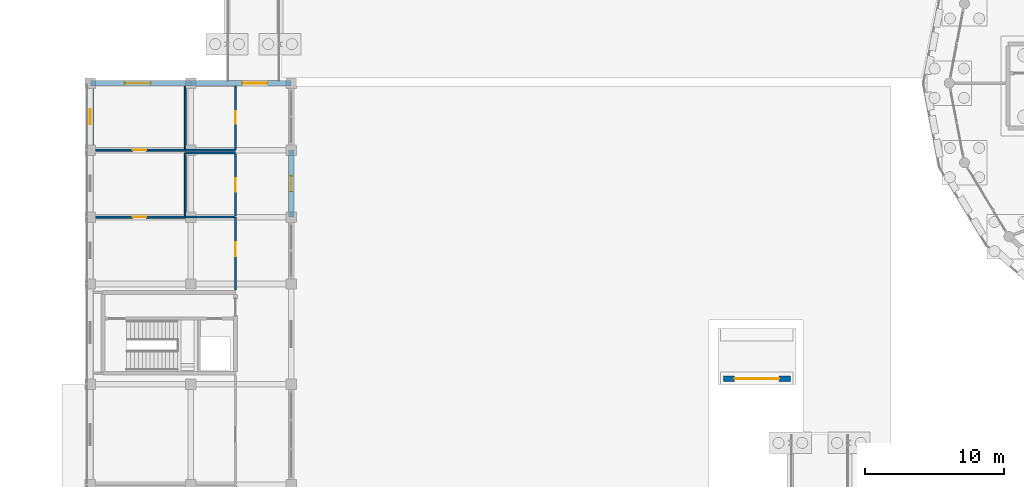
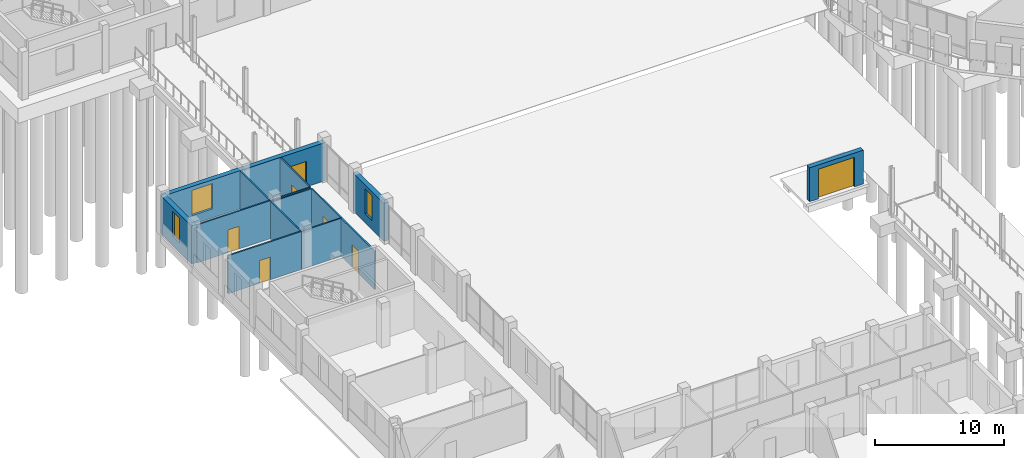
# One storey, part 74 of 98: 15 walls, 7 doors, 3 windows, 10 openings.
"""IFC4 building model written with IfcOpenShell, lengths in metres."""

from ifc_helpers import new_model, si_unit, direction, frame, frame_2d, origin, place, context, subcontext, project, spatial, rectangle, extrude, material, layer, layer_set, type_object, element, fill, save


model = new_model("IFC4")

# Units and contexts
model_context = context("Model", 3, precision=1e-05, world=origin(), true_north=direction((0.0, 1.0)))
body_context = subcontext(model_context, "Body", "Model", "MODEL_VIEW")
ifc_project = project(units=[si_unit("LENGTHUNIT", "METRE"), si_unit("AREAUNIT", "SQUARE_METRE"), si_unit("VOLUMEUNIT", "CUBIC_METRE"), si_unit("PLANEANGLEUNIT", "RADIAN"), si_unit("MASSUNIT", "GRAM", prefix="KILO")], contexts=[model_context])

# Site, building, storey
site_placement = place(None, origin())
site = spatial("IfcSite", under=ifc_project, at=site_placement, CompositionType="ELEMENT")
building_placement = place(site_placement, origin())
building = spatial("IfcBuilding", under=site, at=building_placement, Name="Zornivar Specialist Clinic", CompositionType="ELEMENT")
storey_placement = place(building_placement, origin())
storey = spatial("IfcBuildingStorey", under=building, at=storey_placement, Name="L00", CompositionType="ELEMENT", Elevation=0.0)

# Wall, opening, window
ifc_material_1 = material(Name="Masonry Vratsa Limestone Ashlar Cavity Wall", Category="masonry")
ifc_layer_1 = layer(ifc_material_1, 0.419921875)
ifc_layer_set_1 = layer_set([ifc_layer_1], Name="Masonry Vratsa Limestone Ashlar Cavity Wall")
wall_type_1 = type_object("IfcWallType", Name="EW-LIMESTONE-420", PredefinedType="SOLIDWALL", material=ifc_layer_set_1)
wall_1_placement = place(storey_placement, frame((14.39990234375, 48.0, 0.0), z_axis=(0.0, 0.0, 1.0), x_axis=(0.0, 1.0, 0.0)))
wall_1 = element("IfcWall", 1, at=wall_1_placement, inside=storey, type_object=wall_type_1, Name="ew:V2:L00:19", PredefinedType="SOLIDWALL", context=body_context, shape_type="SweptSolid", body=[
    extrude(rectangle(XDim=4.800048828125, YDim=0.419921875, at=frame_2d((2.39990234375, 0.0))), origin(), (0.0, 0.0, 1.0), 3.60009765625),
])
opening_1_placement = place(wall_1_placement, frame((1.85009765625, 0.0, 0.85009765625)))
opening_1 = element("IfcOpeningElement", 2, at=opening_1_placement, cuts=wall_1, Name="Opening W-04", PredefinedType="OPENING", context=body_context, shape_type="SweptSolid", body=[
    extrude(rectangle(XDim=1.10009765625, YDim=2.35009765625, at=frame_2d((0.550048828125, 1.175048828125))), frame((0.0, 0.219970703125, 0.0), z_axis=(0.0, -1.0, 0.0), x_axis=(1.0, 0.0, 0.0)), (0.0, 0.0, 1.0), 0.43994140625),
])
ifc_material_2 = material(Name="Triple-Glazed Aluminium-Timber Window Glass", Category="wood")
window_type_1 = type_object("IfcWindowType", Name="WIN-PLINTH-PIER-1100x2350", PartitioningType="SINGLE_PANEL", PredefinedType="WINDOW", material=ifc_material_2)
window_1_placement = place(opening_1_placement, origin())
window_1 = element("IfcWindow", 3, at=window_1_placement, inside=storey, type_object=window_type_1, Name="win:V2:L00:19", OverallHeight=2.35009765625, OverallWidth=1.10009765625, PartitioningType="SINGLE_PANEL", PredefinedType="WINDOW", context=body_context, shape_type="SweptSolid", body=[
    extrude(rectangle(XDim=1.10009765625, YDim=2.35009765625, at=frame_2d((0.550048828125, 1.175048828125))), frame((0.0, 0.030029296875, 0.0), z_axis=(0.0, -1.0, 0.0), x_axis=(1.0, 0.0, 0.0)), (0.0, 0.0, 1.0), 0.06005859375),
])
fill(opening_1, window_1)

# Wall, opening, door
wall_2_placement = place(storey_placement, frame((14.39990234375, 57.60009765625, 0.0), z_axis=(0.0, 0.0, 1.0), x_axis=(-1.0, 0.0, 0.0)))
wall_2 = element("IfcWall", 4, at=wall_2_placement, inside=storey, type_object=wall_type_1, Name="ew:V2:L00:21", PredefinedType="SOLIDWALL", context=body_context, shape_type="SweptSolid", body=[
    extrude(rectangle(XDim=7.199951171875, YDim=0.419921875, at=frame_2d((3.60009765625, 0.0))), origin(), (0.0, 0.0, 1.0), 3.60009765625),
])
opening_2_placement = place(wall_2_placement, frame((1.699951171875, 0.0, 0.0)))
opening_2 = element("IfcOpeningElement", 5, at=opening_2_placement, cuts=wall_2, Name="Opening ED-03", PredefinedType="OPENING", context=body_context, shape_type="SweptSolid", body=[
    extrude(rectangle(XDim=1.800048828125, YDim=2.39990234375, at=frame_2d((0.89990234375, 1.199951171875))), frame((0.0, 0.219970703125, 0.0), z_axis=(0.0, -1.0, 0.0), x_axis=(1.0, 0.0, 0.0)), (0.0, 0.0, 1.0), 0.43994140625),
])
ifc_material_3 = material(Name="Thermally Broken Glazed Aluminium Door", Category="aluminium")
door_type_1 = type_object("IfcDoorType", Name="ED-ENTRY-1800x2400", OperationType="NOTDEFINED", PredefinedType="DOOR", material=ifc_material_3)
door_1_placement = place(opening_2_placement, origin())
door_1 = element("IfcDoor", 6, at=door_1_placement, inside=storey, type_object=door_type_1, Name="door:V2:L00:br2", OperationType="DOUBLE_DOOR_SINGLE_SWING", OverallHeight=2.39990234375, OverallWidth=1.800048828125, PredefinedType="DOOR", context=body_context, shape_type="SweptSolid", body=[
    extrude(rectangle(XDim=1.800048828125, YDim=2.39990234375, at=frame_2d((0.89990234375, 1.199951171875))), frame((0.0, 0.02490234375, 0.0), z_axis=(0.0, -1.0, 0.0), x_axis=(1.0, 0.0, 0.0)), (0.0, 0.0, 1.0), 0.050048828125),
])
fill(opening_2, door_1)

# Wall, opening, window
wall_3_placement = place(storey_placement, frame((7.199951171875, 57.60009765625, 0.0), z_axis=(0.0, 0.0, 1.0), x_axis=(-1.0, 0.0, 0.0)))
wall_3 = element("IfcWall", 7, at=wall_3_placement, inside=storey, type_object=wall_type_1, Name="ew:V2:L00:22", PredefinedType="SOLIDWALL", context=body_context, shape_type="SweptSolid", body=[
    extrude(rectangle(XDim=7.199951171875, YDim=0.419921875, at=frame_2d((3.60009765625, 0.0))), origin(), (0.0, 0.0, 1.0), 3.60009765625),
])
opening_3_placement = place(wall_3_placement, frame((2.875, 0.0, 0.85009765625)))
opening_3 = element("IfcOpeningElement", 8, at=opening_3_placement, cuts=wall_3, Name="Opening W-03", PredefinedType="OPENING", context=body_context, shape_type="SweptSolid", body=[
    extrude(rectangle(XDim=1.85009765625, YDim=2.39990234375, at=frame_2d((0.925048828125, 1.199951171875))), frame((0.0, 0.219970703125, 0.0), z_axis=(0.0, -1.0, 0.0), x_axis=(1.0, 0.0, 0.0)), (0.0, 0.0, 1.0), 0.43994140625),
])
ifc_material_4 = material(Name="Triple-Glazed Aluminium-Timber Window Glass", Category="wood")
window_type_2 = type_object("IfcWindowType", Name="WIN-PLINTH-COURT-1850x2400", PartitioningType="SINGLE_PANEL", PredefinedType="WINDOW", material=ifc_material_4)
window_2_placement = place(opening_3_placement, origin())
window_2 = element("IfcWindow", 9, at=window_2_placement, inside=storey, type_object=window_type_2, Name="win:V2:L00:22", OverallHeight=2.39990234375, OverallWidth=1.85009765625, PartitioningType="SINGLE_PANEL", PredefinedType="WINDOW", context=body_context, shape_type="SweptSolid", body=[
    extrude(rectangle(XDim=1.85009765625, YDim=2.39990234375, at=frame_2d((0.925048828125, 1.199951171875))), frame((0.0, 0.030029296875, 0.0), z_axis=(0.0, -1.0, 0.0), x_axis=(1.0, 0.0, 0.0)), (0.0, 0.0, 1.0), 0.06005859375),
])
fill(opening_3, window_2)

wall_4_placement = place(storey_placement, frame((0.0, 57.60009765625, 0.0), z_axis=(0.0, 0.0, 1.0), x_axis=(0.0, -1.0, 0.0)))
wall_4 = element("IfcWall", 10, at=wall_4_placement, inside=storey, type_object=wall_type_1, Name="ew:V2:L00:23", PredefinedType="SOLIDWALL", context=body_context, shape_type="SweptSolid", body=[
    extrude(rectangle(XDim=4.800048828125, YDim=0.419921875, at=frame_2d((2.39990234375, 0.0))), origin(), (0.0, 0.0, 1.0), 3.60009765625),
])
opening_4_placement = place(wall_4_placement, frame((1.85009765625, 0.0, 0.85009765625)))
opening_4 = element("IfcOpeningElement", 11, at=opening_4_placement, cuts=wall_4, Name="Opening W-04", PredefinedType="OPENING", context=body_context, shape_type="SweptSolid", body=[
    extrude(rectangle(XDim=1.10009765625, YDim=2.35009765625, at=frame_2d((0.550048828125, 1.175048828125))), frame((0.0, 0.219970703125, 0.0), z_axis=(0.0, -1.0, 0.0), x_axis=(1.0, 0.0, 0.0)), (0.0, 0.0, 1.0), 0.43994140625),
])
window_3_placement = place(opening_4_placement, origin())
window_3 = element("IfcWindow", 12, at=window_3_placement, inside=storey, type_object=window_type_1, Name="win:V2:L00:23", OverallHeight=2.35009765625, OverallWidth=1.10009765625, PartitioningType="SINGLE_PANEL", PredefinedType="WINDOW", context=body_context, shape_type="SweptSolid", body=[
    extrude(rectangle(XDim=1.10009765625, YDim=2.35009765625, at=frame_2d((0.550048828125, 1.175048828125))), frame((0.0, 0.030029296875, 0.0), z_axis=(0.0, -1.0, 0.0), x_axis=(1.0, 0.0, 0.0)), (0.0, 0.0, 1.0), 0.06005859375),
])
fill(opening_4, window_3)

# Wall, opening, door
wall_5_placement = place(storey_placement, frame((45.39990234375, 36.39990234375, 0.0), z_axis=(0.0, 0.0, 1.0), x_axis=(1.0, 0.0, 0.0)))
wall_5 = element("IfcWall", 13, at=wall_5_placement, inside=storey, type_object=wall_type_1, Name="ew:ramp:L00:gatewall", PredefinedType="SOLIDWALL", context=body_context, shape_type="SweptSolid", body=[
    extrude(rectangle(XDim=4.800048828125, YDim=0.419921875, at=frame_2d((2.39990234375, 0.0))), origin(), (0.0, 0.0, 1.0), 3.199951171875),
])
opening_5_placement = place(wall_5_placement, frame((0.800048828125, 0.0, 0.0)))
opening_5 = element("IfcOpeningElement", 14, at=opening_5_placement, cuts=wall_5, Name="Opening VG-01", PredefinedType="OPENING", context=body_context, shape_type="SweptSolid", body=[
    extrude(rectangle(XDim=3.199951171875, YDim=2.800048828125, at=frame_2d((1.60009765625, 1.39990234375))), frame((0.0, 0.219970703125, 0.0), z_axis=(0.0, -1.0, 0.0), x_axis=(1.0, 0.0, 0.0)), (0.0, 0.0, 1.0), 0.43994140625),
])
ifc_material_5 = material(Name="Thermally Broken Glazed Aluminium Door", Category="aluminium")
door_type_2 = type_object("IfcDoorType", Name="VG-RAMP-3200x2800", OperationType="NOTDEFINED", PredefinedType="GATE", material=ifc_material_5)
door_2_placement = place(opening_5_placement, origin())
door_2 = element("IfcDoor", 15, at=door_2_placement, inside=storey, type_object=door_type_2, Name="door:ramp:L00:gate", OperationType="ROLLINGUP", OverallHeight=2.800048828125, OverallWidth=3.199951171875, PredefinedType="GATE", context=body_context, shape_type="SweptSolid", body=[
    extrude(rectangle(XDim=3.199951171875, YDim=2.800048828125, at=frame_2d((1.60009765625, 1.39990234375))), frame((0.0, 0.02490234375, 0.0), z_axis=(0.0, -1.0, 0.0), x_axis=(1.0, 0.0, 0.0)), (0.0, 0.0, 1.0), 0.050048828125),
])
fill(opening_5, door_2)

ifc_material_6 = material(Name="Acoustic Clinical Stud Partition")
ifc_layer_2 = layer(ifc_material_6, 0.139892578125)
ifc_layer_set_2 = layer_set([ifc_layer_2], Name="Acoustic Clinical Stud Partition")
wall_type_2 = type_object("IfcWallType", Name="IW-CLIN-140", PredefinedType="PARTITIONING", material=ifc_layer_set_2)
wall_6_placement = place(storey_placement, frame((0.22509765625, 48.0, 0.0), z_axis=(0.0, 0.0, 1.0), x_axis=(1.0, 0.0, 0.0)))
wall_6 = element("IfcWall", 16, at=wall_6_placement, inside=storey, type_object=wall_type_2, Name="iw:L00:083", PredefinedType="PARTITIONING", context=body_context, shape_type="SweptSolid", body=[
    extrude(rectangle(XDim=6.574951171875, YDim=0.139892578125, at=frame_2d((3.28759765625, 0.0))), origin(), (0.0, 0.0, 1.0), 3.580078125),
])
opening_6_placement = place(wall_6_placement, frame((2.797119140625, 0.0, 0.0)))
opening_6 = element("IfcOpeningElement", 17, at=opening_6_placement, cuts=wall_6, Name="Opening ID-09", PredefinedType="OPENING", context=body_context, shape_type="SweptSolid", body=[
    extrude(rectangle(XDim=0.97998046875, YDim=2.14990234375, at=frame_2d((0.489990234375, 1.074951171875))), frame((0.0, 0.079833984375, 0.0), z_axis=(0.0, -1.0, 0.0), x_axis=(1.0, 0.0, 0.0)), (0.0, 0.0, 1.0), 0.159912109375),
])
ifc_material_7 = material(Name="Solid-Core Hygienic Laminate Timber Door", Category="wood")
door_type_3 = type_object("IfcDoorType", Name="ID-STAFF-0980x2150", OperationType="NOTDEFINED", PredefinedType="DOOR", material=ifc_material_7)
door_3_placement = place(opening_6_placement, origin())
door_3 = element("IfcDoor", 18, at=door_3_placement, inside=storey, type_object=door_type_3, Name="door:space:V2:L00:rm:05b", OperationType="SINGLE_SWING_LEFT", OverallHeight=2.14990234375, OverallWidth=0.97998046875, PredefinedType="DOOR", context=body_context, shape_type="SweptSolid", body=[
    extrude(rectangle(XDim=0.97998046875, YDim=2.14990234375, at=frame_2d((0.489990234375, 1.074951171875))), frame((0.0, 0.02490234375, 0.0), z_axis=(0.0, -1.0, 0.0), x_axis=(1.0, 0.0, 0.0)), (0.0, 0.0, 1.0), 0.050048828125),
])
fill(opening_6, door_3)

wall_7_placement = place(storey_placement, frame((0.22509765625, 52.800048828125, 0.0), z_axis=(0.0, 0.0, 1.0), x_axis=(1.0, 0.0, 0.0)))
wall_7 = element("IfcWall", 19, at=wall_7_placement, inside=storey, type_object=wall_type_2, Name="iw:L00:088", PredefinedType="PARTITIONING", context=body_context, shape_type="SweptSolid", body=[
    extrude(rectangle(XDim=6.574951171875, YDim=0.139892578125, at=frame_2d((3.28759765625, 0.0))), origin(), (0.0, 0.0, 1.0), 3.580078125),
])
opening_7_placement = place(wall_7_placement, frame((2.797119140625, 0.0, 0.0)))
opening_7 = element("IfcOpeningElement", 20, at=opening_7_placement, cuts=wall_7, Name="Opening ID-09", PredefinedType="OPENING", context=body_context, shape_type="SweptSolid", body=[
    extrude(rectangle(XDim=0.97998046875, YDim=2.14990234375, at=frame_2d((0.489990234375, 1.074951171875))), frame((0.0, 0.079833984375, 0.0), z_axis=(0.0, -1.0, 0.0), x_axis=(1.0, 0.0, 0.0)), (0.0, 0.0, 1.0), 0.159912109375),
])
door_4_placement = place(opening_7_placement, origin())
door_4 = element("IfcDoor", 21, at=door_4_placement, inside=storey, type_object=door_type_3, Name="door:space:V2:L00:rm:07b", OperationType="SINGLE_SWING_LEFT", OverallHeight=2.14990234375, OverallWidth=0.97998046875, PredefinedType="DOOR", context=body_context, shape_type="SweptSolid", body=[
    extrude(rectangle(XDim=0.97998046875, YDim=2.14990234375, at=frame_2d((0.489990234375, 1.074951171875))), frame((0.0, 0.02490234375, 0.0), z_axis=(0.0, -1.0, 0.0), x_axis=(1.0, 0.0, 0.0)), (0.0, 0.0, 1.0), 0.050048828125),
])
fill(opening_7, door_4)

ifc_material_8 = material(Name="Gypsum Fire-Rated Double Stud Partition")
ifc_layer_3 = layer(ifc_material_8, 0.159912109375)
ifc_layer_set_3 = layer_set([ifc_layer_3], Name="Gypsum Fire-Rated Double Stud Partition")
wall_type_3 = type_object("IfcWallType", Name="IW-CORR-EI60-160", PredefinedType="PARTITIONING", material=ifc_layer_set_3)
wall_8_placement = place(storey_placement, frame((10.39990234375, 48.0, 0.0), z_axis=(0.0, 0.0, 1.0), x_axis=(0.0, -1.0, 0.0)))
wall_8 = element("IfcWall", 22, at=wall_8_placement, inside=storey, type_object=wall_type_3, Name="iw:L00:081", PredefinedType="PARTITIONING", context=body_context, shape_type="SweptSolid", body=[
    extrude(rectangle(XDim=5.2451171875, YDim=0.159912109375, at=frame_2d((2.62255859375, 0.0))), origin(), (0.0, 0.0, 1.0), 3.580078125),
])
opening_8_placement = place(wall_8_placement, frame((1.7939453125, 0.0, 0.0)))
opening_8 = element("IfcOpeningElement", 23, at=opening_8_placement, cuts=wall_8, Name="Opening ID-04", PredefinedType="OPENING", context=body_context, shape_type="SweptSolid", body=[
    extrude(rectangle(XDim=1.0, YDim=2.14990234375, at=frame_2d((0.5, 1.074951171875))), frame((0.0, 0.08984375, 0.0), z_axis=(0.0, -1.0, 0.0), x_axis=(1.0, 0.0, 0.0)), (0.0, 0.0, 1.0), 0.179931640625),
])
ifc_material_9 = material(Name="Solid-Core Hygienic Laminate Timber Door", Category="wood")
door_type_4 = type_object("IfcDoorType", Name="ID-EXAM-1000x2150", OperationType="NOTDEFINED", PredefinedType="DOOR", material=ifc_material_9)
door_5_placement = place(opening_8_placement, origin())
door_5 = element("IfcDoor", 24, at=door_5_placement, inside=storey, type_object=door_type_4, Name="door:space:V2:L00:rm:04", OperationType="SINGLE_SWING_LEFT", OverallHeight=2.14990234375, OverallWidth=1.0, PredefinedType="DOOR", context=body_context, shape_type="SweptSolid", body=[
    extrude(rectangle(XDim=1.0, YDim=2.14990234375, at=frame_2d((0.5, 1.074951171875))), frame((0.0, 0.02490234375, 0.0), z_axis=(0.0, -1.0, 0.0), x_axis=(1.0, 0.0, 0.0)), (0.0, 0.0, 1.0), 0.050048828125),
])
fill(opening_8, door_5)

# Walls
ifc_material_10 = material(Name="Moisture-Resistant Sanitary Partition")
ifc_layer_4 = layer(ifc_material_10, 0.1298828125)
ifc_layer_set_4 = layer_set([ifc_layer_4], Name="Moisture-Resistant Sanitary Partition")
wall_type_4 = type_object("IfcWallType", Name="IW-WET-130", PredefinedType="PARTITIONING", material=ifc_layer_set_4)
wall_9_placement = place(storey_placement, frame((6.81201171875, 48.0, 0.0), z_axis=(0.0, 0.0, 1.0), x_axis=(1.0, 0.0, 0.0)))
element("IfcWall", 25, at=wall_9_placement, inside=storey, type_object=wall_type_4, Name="iw:L00:084", PredefinedType="PARTITIONING", context=body_context, shape_type="SweptSolid", body=[
    extrude(rectangle(XDim=3.493896484375, YDim=0.1298828125, at=frame_2d((1.7470703125, 0.0))), origin(), (0.0, 0.0, 1.0), 3.580078125),
])
wall_10_placement = place(storey_placement, frame((6.800048828125, 48.083984375, 0.0), z_axis=(0.0, 0.0, 1.0), x_axis=(0.0, 1.0, 0.0)))
element("IfcWall", 26, at=wall_10_placement, inside=storey, type_object=wall_type_4, Name="iw:L00:085", PredefinedType="PARTITIONING", context=body_context, shape_type="SweptSolid", body=[
    extrude(rectangle(XDim=4.51611328125, YDim=0.1298828125, at=frame_2d((2.258056640625, 0.0))), origin(), (0.0, 0.0, 1.0), 3.580078125),
])
wall_11_placement = place(storey_placement, frame((6.87890625, 52.60009765625, 0.0), z_axis=(0.0, 0.0, 1.0), x_axis=(1.0, 0.0, 0.0)))
element("IfcWall", 27, at=wall_11_placement, inside=storey, type_object=wall_type_4, Name="iw:L00:086", PredefinedType="PARTITIONING", context=body_context, shape_type="SweptSolid", body=[
    extrude(rectangle(XDim=3.52099609375, YDim=0.1298828125, at=frame_2d((1.760498046875, 0.0))), origin(), (0.0, 0.0, 1.0), 3.580078125),
])

# Wall, opening, door
wall_12_placement = place(storey_placement, frame((10.39990234375, 52.52099609375, 0.0), z_axis=(0.0, 0.0, 1.0), x_axis=(0.0, -1.0, 0.0)))
wall_12 = element("IfcWall", 28, at=wall_12_placement, inside=storey, type_object=wall_type_4, Name="iw:L00:087", PredefinedType="PARTITIONING", context=body_context, shape_type="SweptSolid", body=[
    extrude(rectangle(XDim=4.44189453125, YDim=0.1298828125, at=frame_2d((2.220947265625, 0.0))), origin(), (0.0, 0.0, 1.0), 3.580078125),
])
opening_9_placement = place(wall_12_placement, frame((1.74609375, 0.0, 0.0)))
opening_9 = element("IfcOpeningElement", 29, at=opening_9_placement, cuts=wall_12, Name="Opening ID-07", PredefinedType="OPENING", context=body_context, shape_type="SweptSolid", body=[
    extrude(rectangle(XDim=0.949951171875, YDim=2.10009765625, at=frame_2d((0.47509765625, 1.050048828125))), frame((0.0, 0.074951171875, 0.0), z_axis=(0.0, -1.0, 0.0), x_axis=(1.0, 0.0, 0.0)), (0.0, 0.0, 1.0), 0.14990234375),
])
ifc_material_11 = material(Name="Solid-Core Hygienic Laminate Timber Door", Category="wood")
door_type_5 = type_object("IfcDoorType", Name="ID-WC-ACC-0950x2100", OperationType="NOTDEFINED", PredefinedType="DOOR", material=ifc_material_11)
door_6_placement = place(opening_9_placement, origin())
door_6 = element("IfcDoor", 30, at=door_6_placement, inside=storey, type_object=door_type_5, Name="door:space:V2:L00:rm:05", OperationType="SINGLE_SWING_RIGHT", OverallHeight=2.10009765625, OverallWidth=0.949951171875, PredefinedType="DOOR", context=body_context, shape_type="SweptSolid", body=[
    extrude(rectangle(XDim=0.949951171875, YDim=2.10009765625, at=frame_2d((0.47509765625, 1.050048828125))), frame((0.0, 0.02490234375, 0.0), z_axis=(0.0, -1.0, 0.0), x_axis=(1.0, 0.0, 0.0)), (0.0, 0.0, 1.0), 0.050048828125),
])
fill(opening_9, door_6)

# Walls
wall_13_placement = place(storey_placement, frame((6.81201171875, 52.800048828125, 0.0), z_axis=(0.0, 0.0, 1.0), x_axis=(1.0, 0.0, 0.0)))
element("IfcWall", 31, at=wall_13_placement, inside=storey, type_object=wall_type_4, Name="iw:L00:089", PredefinedType="PARTITIONING", context=body_context, shape_type="SweptSolid", body=[
    extrude(rectangle(XDim=3.587890625, YDim=0.1298828125, at=frame_2d((1.7939453125, 0.0))), origin(), (0.0, 0.0, 1.0), 3.580078125),
])
wall_14_placement = place(storey_placement, frame((6.800048828125, 52.884033203125, 0.0), z_axis=(0.0, 0.0, 1.0), x_axis=(0.0, 1.0, 0.0)))
element("IfcWall", 32, at=wall_14_placement, inside=storey, type_object=wall_type_4, Name="iw:L00:090", PredefinedType="PARTITIONING", context=body_context, shape_type="SweptSolid", body=[
    extrude(rectangle(XDim=4.490966796875, YDim=0.1298828125, at=frame_2d((2.24560546875, 0.0))), origin(), (0.0, 0.0, 1.0), 3.580078125),
])

# Wall, opening, door
wall_15_placement = place(storey_placement, frame((10.39990234375, 57.375, 0.0), z_axis=(0.0, 0.0, 1.0), x_axis=(0.0, -1.0, 0.0)))
wall_15 = element("IfcWall", 33, at=wall_15_placement, inside=storey, type_object=wall_type_4, Name="iw:L00:091", PredefinedType="PARTITIONING", context=body_context, shape_type="SweptSolid", body=[
    extrude(rectangle(XDim=4.49609375, YDim=0.1298828125, at=frame_2d((2.248046875, 0.0))), origin(), (0.0, 0.0, 1.0), 3.580078125),
])
opening_10_placement = place(wall_15_placement, frame((1.798095703125, 0.0, 0.0)))
opening_10 = element("IfcOpeningElement", 34, at=opening_10_placement, cuts=wall_15, Name="Opening ID-08", PredefinedType="OPENING", context=body_context, shape_type="SweptSolid", body=[
    extrude(rectangle(XDim=0.89990234375, YDim=2.10009765625, at=frame_2d((0.449951171875, 1.050048828125))), frame((0.0, 0.074951171875, 0.0), z_axis=(0.0, -1.0, 0.0), x_axis=(1.0, 0.0, 0.0)), (0.0, 0.0, 1.0), 0.14990234375),
])
ifc_material_12 = material(Name="Solid-Core Hygienic Laminate Timber Door", Category="wood")
door_type_6 = type_object("IfcDoorType", Name="ID-WC-STD-0900x2100", OperationType="NOTDEFINED", PredefinedType="DOOR", material=ifc_material_12)
door_7_placement = place(opening_10_placement, origin())
door_7 = element("IfcDoor", 35, at=door_7_placement, inside=storey, type_object=door_type_6, Name="door:space:V2:L00:rm:07", OperationType="SINGLE_SWING_RIGHT", OverallHeight=2.10009765625, OverallWidth=0.89990234375, PredefinedType="DOOR", context=body_context, shape_type="SweptSolid", body=[
    extrude(rectangle(XDim=0.89990234375, YDim=2.10009765625, at=frame_2d((0.449951171875, 1.050048828125))), frame((0.0, 0.02490234375, 0.0), z_axis=(0.0, -1.0, 0.0), x_axis=(1.0, 0.0, 0.0)), (0.0, 0.0, 1.0), 0.050048828125),
])
fill(opening_10, door_7)

save(model, "model.ifc")
